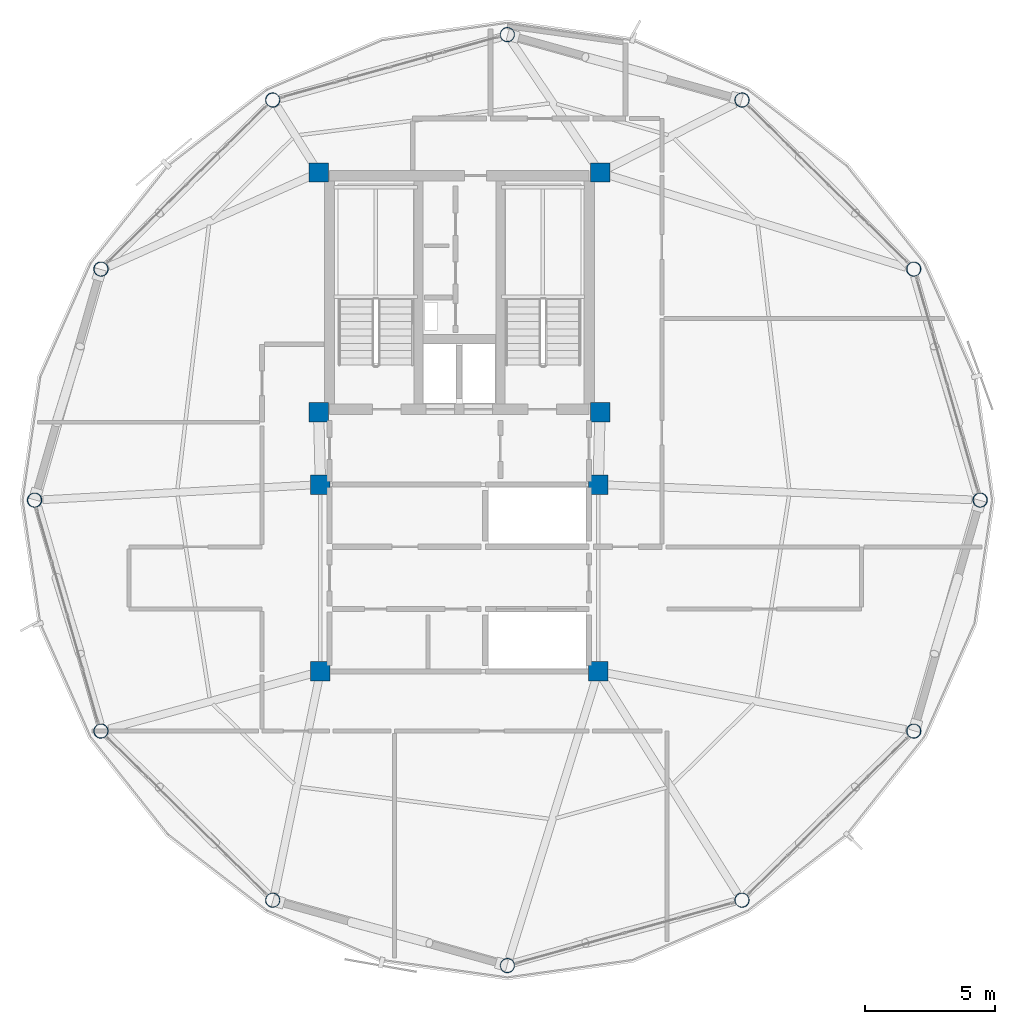
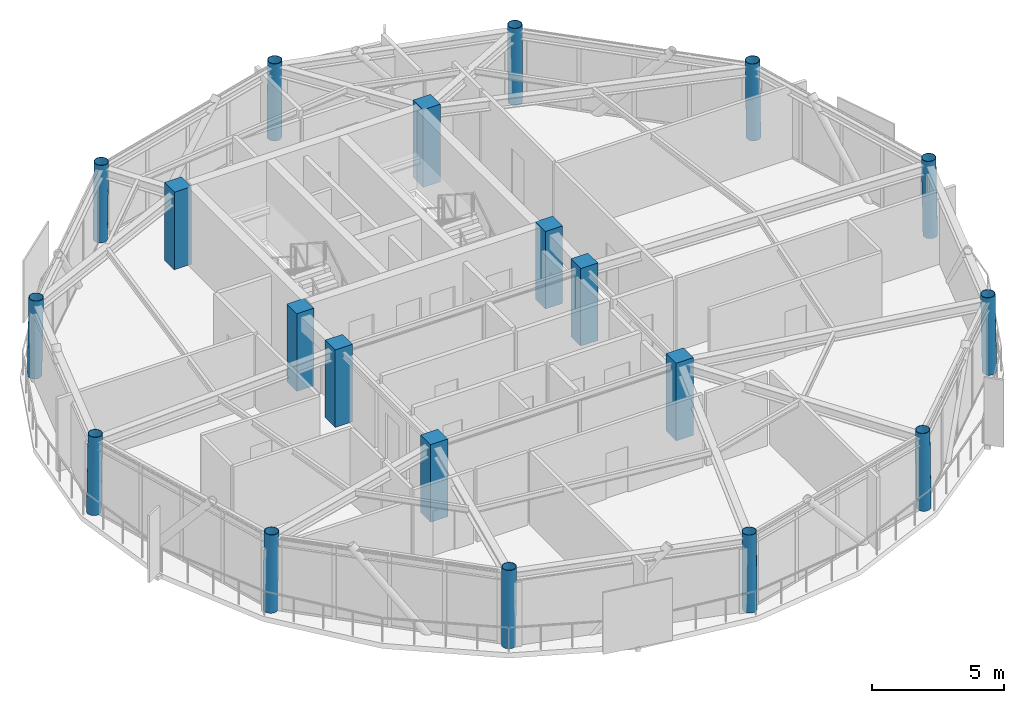
# One storey, part 1 of 27: 20 columns.
"""IFC4 building model written with IfcOpenShell, lengths in metres."""

from ifc_helpers import new_model, si_unit, direction, frame, origin, origin_2d, place, context, subcontext, project, spatial, rectangle, hollow_circle, extrude, material, material_profile, profile_set, type_object, element, save


model = new_model("IFC4")

# Units and contexts
model_context = context("Model", 3, precision=1e-05, world=origin(), true_north=direction((0.0, 1.0)))
body_context = subcontext(model_context, "Body", "Model", "MODEL_VIEW")
ifc_project = project(units=[si_unit("LENGTHUNIT", "METRE"), si_unit("AREAUNIT", "SQUARE_METRE"), si_unit("VOLUMEUNIT", "CUBIC_METRE"), si_unit("PLANEANGLEUNIT", "RADIAN"), si_unit("MASSUNIT", "GRAM", prefix="KILO")], contexts=[model_context])

# Site, building, storey
site_placement = place(None, origin())
site = spatial("IfcSite", under=ifc_project, at=site_placement, CompositionType="ELEMENT")
building_placement = place(site_placement, origin())
building = spatial("IfcBuilding", under=site, at=building_placement, Name="Varnakorn Sky Granary", CompositionType="ELEMENT")
storey_placement = place(building_placement, frame((0.0, 0.0, 263.39990234375)))
storey = spatial("IfcBuildingStorey", under=building, at=storey_placement, Name="L67", CompositionType="ELEMENT", Elevation=263.39990234375)

# Columns
ifc_material_1 = material(Name="Steel S460M", Category="steel")
ifc_material_profile_1 = material_profile(ifc_material_1, hollow_circle(Radius=0.279541015625, WallThickness=0.02001953125, at=origin_2d()), Name="CHS 559x20")
ifc_profile_set_1 = profile_set([ifc_material_profile_1], Name="Steel S460M")
column_type_1 = type_object("IfcColumnType", Name="COL-DC-Z5", PredefinedType="COLUMN", material=ifc_profile_set_1)
column_1_placement = place(storey_placement, frame((23.073974609375, 0.0, 0.0), z_axis=(-0.018980464328, 0.0, 0.999819854761), x_axis=(0.0, -1.0, 0.0)))
element("IfcColumn", 1, at=column_1_placement, inside=storey, type_object=column_type_1, Name="Drum Perimeter Column DC01 L67", PredefinedType="COLUMN", context=body_context, shape_type="SweptSolid", body=[
    extrude(hollow_circle(Radius=0.279541015625, WallThickness=0.02001953125, at=origin_2d()), origin(), (0.0, 0.0, 1.0), 3.575927734375),
])
column_2_placement = place(storey_placement, frame((20.515380859375, 8.90087890625, 0.0), z_axis=(-0.01645484131, -0.004711137139, 0.999853510963), x_axis=(0.275247949014, -0.961373271193, 0.0)))
element("IfcColumn", 2, at=column_2_placement, inside=storey, type_object=column_type_1, Name="Drum Perimeter Column DC02 L67", PredefinedType="COLUMN", context=body_context, shape_type="SweptSolid", body=[
    extrude(hollow_circle(Radius=0.279541015625, WallThickness=0.02001953125, at=origin_2d()), origin(), (0.0, 0.0, 1.0), 3.57568359375),
])
for number, where, z_axis, x_axis, name in (
    (3, (13.89453125, 15.4169921875, 0.0), (-0.009491190561, -0.008262115524, 0.99992082424), (0.656581650754, -0.754254954172, 0.0), "Drum Perimeter Column DC03 L67"),
    (4, (4.85009765625, 17.93701171875, 0.0), (0.0, -0.009491514524, 0.999954954561), (1.0, 0.0, 0.0), "Drum Perimeter Column DC04 L67"),
    (5, (-4.194580078125, 15.4169921875, 0.0), (0.00955946629, -0.00826211015, 0.999920173884), (0.653901224294, 0.756579928935, 0.0), "Drum Perimeter Column DC05 L67"),
):
    element("IfcColumn", number, at=place(storey_placement, frame(where, z_axis=z_axis, x_axis=x_axis)), inside=storey, type_object=column_type_1, Name=name, PredefinedType="COLUMN", context=body_context, shape_type="SweptSolid", body=[
        extrude(hollow_circle(Radius=0.279541015625, WallThickness=0.02001953125, at=origin_2d()), origin(), (0.0, 0.0, 1.0), 3.575439453125),
    ])
column_3_placement = place(storey_placement, frame((-10.8154296875, 8.90087890625, 0.0), z_axis=(0.01645484131, -0.004711137139, 0.999853510963), x_axis=(0.275247949014, 0.961373271193, 0.0)))
element("IfcColumn", 6, at=column_3_placement, inside=storey, type_object=column_type_1, Name="Drum Perimeter Column DC06 L67", PredefinedType="COLUMN", context=body_context, shape_type="SweptSolid", body=[
    extrude(hollow_circle(Radius=0.279541015625, WallThickness=0.02001953125, at=origin_2d()), origin(), (0.0, 0.0, 1.0), 3.57568359375),
])
column_4_placement = place(storey_placement, frame((-13.3740234375, 0.0, 0.0), z_axis=(0.01904871465, 0.0, 0.999818556774), x_axis=(0.0, 1.0, 0.0)))
element("IfcColumn", 7, at=column_4_placement, inside=storey, type_object=column_type_1, Name="Drum Perimeter Column DC07 L67", PredefinedType="COLUMN", context=body_context, shape_type="SweptSolid", body=[
    extrude(hollow_circle(Radius=0.279541015625, WallThickness=0.02001953125, at=origin_2d()), origin(), (0.0, 0.0, 1.0), 3.575927734375),
])
column_5_placement = place(storey_placement, frame((-10.8154296875, -8.90087890625, 0.0), z_axis=(0.01645484131, 0.004711137139, 0.999853510963), x_axis=(-0.275247949014, 0.961373271193, 0.0)))
element("IfcColumn", 8, at=column_5_placement, inside=storey, type_object=column_type_1, Name="Drum Perimeter Column DC08 L67", PredefinedType="COLUMN", context=body_context, shape_type="SweptSolid", body=[
    extrude(hollow_circle(Radius=0.279541015625, WallThickness=0.02001953125, at=origin_2d()), origin(), (0.0, 0.0, 1.0), 3.57568359375),
])
for number, where, z_axis, x_axis, name in (
    (9, (-4.194580078125, -15.4169921875, 0.0), (0.00955946629, 0.00826211015, 0.999920173884), (-0.653901224294, 0.756579928935, 0.0), "Drum Perimeter Column DC09 L67"),
    (10, (4.85009765625, -17.93701171875, 0.0), (0.0, 0.009491514524, 0.999954954561), (-1.0, 0.0, 0.0), "Drum Perimeter Column DC10 L67"),
    (11, (13.89453125, -15.4169921875, 0.0), (-0.009491190561, 0.008262115524, 0.99992082424), (-0.656581650754, -0.754254954172, 0.0), "Drum Perimeter Column DC11 L67"),
):
    element("IfcColumn", number, at=place(storey_placement, frame(where, z_axis=z_axis, x_axis=x_axis)), inside=storey, type_object=column_type_1, Name=name, PredefinedType="COLUMN", context=body_context, shape_type="SweptSolid", body=[
        extrude(hollow_circle(Radius=0.279541015625, WallThickness=0.02001953125, at=origin_2d()), origin(), (0.0, 0.0, 1.0), 3.575439453125),
    ])
column_6_placement = place(storey_placement, frame((20.515380859375, -8.90087890625, 0.0), z_axis=(-0.01645484131, 0.004711137139, 0.999853510963), x_axis=(-0.275247949014, -0.961373271193, 0.0)))
element("IfcColumn", 12, at=column_6_placement, inside=storey, type_object=column_type_1, Name="Drum Perimeter Column DC12 L67", PredefinedType="COLUMN", context=body_context, shape_type="SweptSolid", body=[
    extrude(hollow_circle(Radius=0.279541015625, WallThickness=0.02001953125, at=origin_2d()), origin(), (0.0, 0.0, 1.0), 3.57568359375),
])
ifc_material_2 = material(Name="Concrete C50/60", Category="concrete")
ifc_material_profile_2 = material_profile(ifc_material_2, rectangle(XDim=0.75, YDim=0.75, at=origin_2d()), Name="RC 750x750")
ifc_profile_set_2 = profile_set([ifc_material_profile_2], Name="Concrete C50/60")
column_type_2 = type_object("IfcColumnType", Name="COL-MC-Z5", PredefinedType="COLUMN", material=ifc_profile_set_2)
for number, where, z_axis, x_axis, name in (
    (13, (-2.419921875, 12.6201171875, 0.0), (0.0, 0.0, 1.0), (1.0, 0.0, 0.0), "Backbone Mega-Column MC1 L67"),
    (14, (8.419921875, 12.6201171875, 0.0), (0.0, 0.0, 1.0), (1.0, 0.0, 0.0), "Backbone Mega-Column MC2 L67"),
    (15, (-2.419921875, 3.3798828125, 0.0), (0.0, 0.0, 1.0), (1.0, 0.0, 0.0), "Backbone Mega-Column MC3 L67"),
    (16, (8.419921875, 3.3798828125, 0.0), (0.0, 0.0, 1.0), (1.0, 0.0, 0.0), "Backbone Mega-Column MC4 L67"),
    (17, (-2.35009765625, 0.60009765625, 0.0), (0.0, 0.0, 1.0), (1.0, 0.0, 0.0), "Backbone Mega-Column MC5 L67"),
    (18, (8.35009765625, 0.60009765625, 0.0), (0.0, 0.0, 1.0), (1.0, 0.0, 0.0), "Backbone Mega-Column MC6 L67"),
    (19, (-2.35009765625, -6.60009765625, 0.0), (0.0, 0.0, 1.0), (1.0, 0.0, 0.0), "Backbone Mega-Column MC7 L67"),
    (20, (8.35009765625, -6.60009765625, 0.0), (0.0, 0.0, 1.0), (1.0, 0.0, 0.0), "Backbone Mega-Column MC8 L67"),
):
    element("IfcColumn", number, at=place(storey_placement, frame(where, z_axis=z_axis, x_axis=x_axis)), inside=storey, type_object=column_type_2, Name=name, PredefinedType="COLUMN", context=body_context, shape_type="SweptSolid", body=[
        extrude(rectangle(XDim=0.75, YDim=0.75, at=origin_2d()), origin(), (0.0, 0.0, 1.0), 3.5751953125),
    ])

save(model, "model.ifc")
